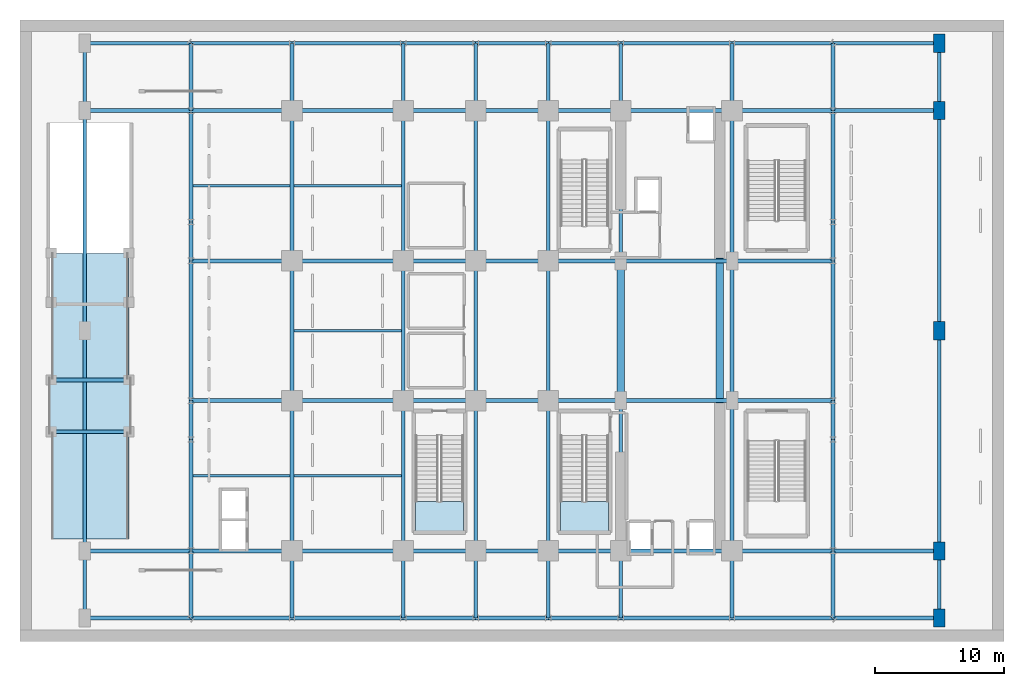
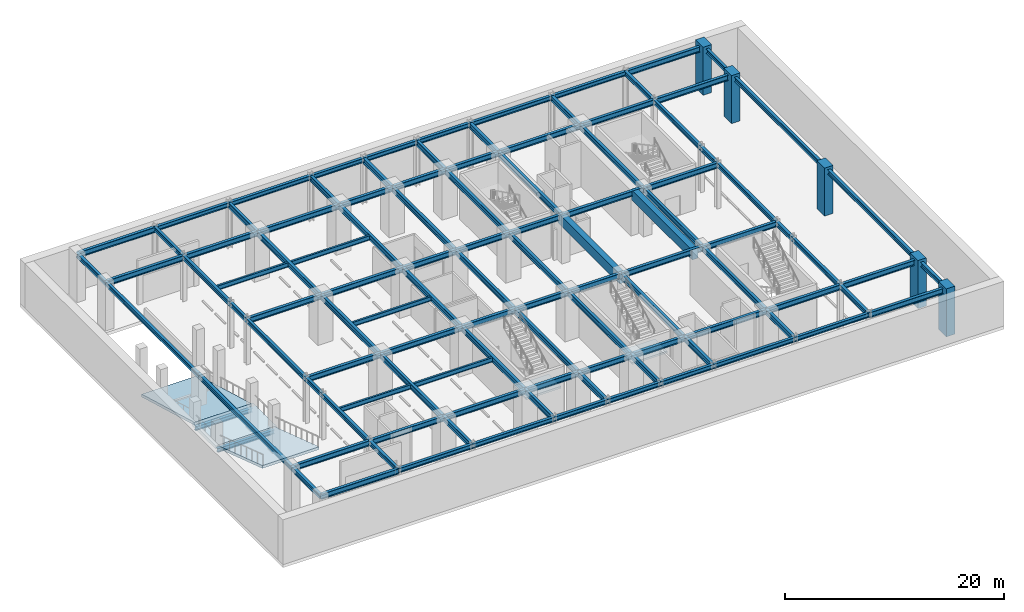
# One storey, part 3 of 10: 110 beams, 5 columns, 5 slabs, 2 elements without a shape of their own.
"""IFC4 building model written with IfcOpenShell, lengths in metres."""

from ifc_helpers import new_model, si_unit, direction, frame, origin, origin_2d, place, context, subcontext, project, spatial, polyline, rectangle, i_section, outline, extrude, source, transform, mapped, material, layer, layer_set, material_profile, profile_set, type_object, element, aggregate, save


model = new_model("IFC4")

# Units and contexts
model_context = context("Model", 3, precision=1e-05, world=origin(), true_north=direction((0.0, 1.0)))
body_context = subcontext(model_context, "Body", "Model", "MODEL_VIEW")
ifc_project = project(units=[si_unit("LENGTHUNIT", "METRE"), si_unit("AREAUNIT", "SQUARE_METRE"), si_unit("VOLUMEUNIT", "CUBIC_METRE"), si_unit("PLANEANGLEUNIT", "RADIAN"), si_unit("MASSUNIT", "GRAM", prefix="KILO")], contexts=[model_context])

# Site, building, storey
site_placement = place(None, origin())
site = spatial("IfcSite", under=ifc_project, at=site_placement, CompositionType="ELEMENT")
building_placement = place(site_placement, origin())
building = spatial("IfcBuilding", under=site, at=building_placement, Name="Nahalor Promenade Grand Hotel", CompositionType="ELEMENT")
storey_placement = place(building_placement, frame((0.0, 0.0, -5.39990234375)))
storey = spatial("IfcBuildingStorey", under=building, at=storey_placement, Name="B01", CompositionType="ELEMENT", Elevation=-5.39990234375)

# Columns
ifc_material_1 = material(Name="Concrete B-60 (C50/60)", Category="concrete")
ifc_material_profile_1 = material_profile(ifc_material_1, rectangle(XDim=0.9, YDim=1.4, at=origin_2d()), Name="RC 900x1400")
ifc_profile_set_1 = profile_set([ifc_material_profile_1], Name="Concrete B-60 (C50/60)")
column_type = type_object("IfcColumnType", Name="Col-Pilaster-1400", PredefinedType="PILASTER", material=ifc_profile_set_1)
shared_shape_1 = source(origin(), body_context, "Body", "SweptSolid", [
    extrude(rectangle(XDim=0.9, YDim=1.4, at=origin_2d()), origin(), (0.0, 0.0, 1.0), 5.35498046875),
])
for number, where, z_axis, x_axis, name in (
    (1, (33.0, -22.199951171875, 0.0), (0.0, 0.0, 1.0), (1.0, 0.0, 0.0), "COL-B01-PC-E0"),
    (2, (33.0, -17.0, 0.0), (0.0, 0.0, 1.0), (1.0, 0.0, 0.0), "COL-B01-PC-E1"),
    (3, (33.0, 0.0, 0.0), (0.0, 0.0, 1.0), (1.0, 0.0, 0.0), "COL-B01-PC-E2"),
    (4, (33.0, 17.0, 0.0), (0.0, 0.0, 1.0), (1.0, 0.0, 0.0), "COL-B01-PC-E3"),
    (5, (33.0, 22.199951171875, 0.0), (0.0, 0.0, 1.0), (1.0, 0.0, 0.0), "COL-B01-PC-E4"),
):
    element("IfcColumn", number, at=place(storey_placement, frame(where, z_axis=z_axis, x_axis=x_axis)), inside=storey, type_object=column_type, Name=name, PredefinedType="PILASTER", context=body_context, shape_type="MappedRepresentation", body=[
        mapped(shared_shape_1, transform((0.0, 0.0, 0.0), scale=1.0)),
    ])

# Beams
ifc_material_profile_2 = material_profile(ifc_material_1, rectangle(XDim=0.6, YDim=1.1, at=origin_2d()), Name="RC 600x1100")
ifc_profile_set_2 = profile_set([ifc_material_profile_2], Name="Concrete B-60 (C50/60)")
beam_type_1 = type_object("IfcBeamType", Name="Beam-Lintel-RC1100", PredefinedType="LINTEL", material=ifc_profile_set_2)
shared_shape_2 = source(origin(), body_context, "Body", "SweptSolid", [
    extrude(rectangle(XDim=0.6, YDim=1.1, at=origin_2d()), origin(), (0.0, 0.0, 1.0), 11.2001953125),
])
for number, where, z_axis, x_axis, name in (
    (6, (8.39990234375, -5.60009765625, 4.52978515625), (0.0, 1.0, 0.0), (-1.0, 0.0, 0.0), "BM-B01-LINT-W"),
    (7, (16.050048828125, -5.60009765625, 4.52978515625), (0.0, 1.0, 0.0), (-1.0, 0.0, 0.0), "BM-B01-LINT-E"),
):
    element("IfcBeam", number, at=place(storey_placement, frame(where, z_axis=z_axis, x_axis=x_axis)), inside=storey, type_object=beam_type_1, Name=name, PredefinedType="LINTEL", context=body_context, shape_type="MappedRepresentation", body=[
        mapped(shared_shape_2, transform((0.0, 0.0, 0.0), scale=1.0)),
    ])
ifc_material_2 = material(Name="Steel S355JR", Category="steel")
ifc_material_profile_3 = material_profile(ifc_material_2, i_section(OverallWidth=0.3, OverallDepth=0.6, WebThickness=0.0155, FlangeThickness=0.03, at=origin_2d()), Name="HEB 600")
ifc_profile_set_3 = profile_set([ifc_material_profile_3], Name="Steel S355JR")
beam_type_2 = type_object("IfcBeamType", Name="Beam-Girder-HEB600", PredefinedType="BEAM", material=ifc_profile_set_3)
shared_shape_3 = source(origin(), body_context, "Body", "SweptSolid", [
    extrude(i_section(OverallWidth=0.3, OverallDepth=0.6, WebThickness=0.0155, FlangeThickness=0.03, at=origin_2d()), origin(), (0.0, 0.0, 1.0), 8.199951171875),
])
for number, where, z_axis, x_axis, name in (
    (8, (-33.0, -17.0, 4.77978515625), (1.0, 0.0, 0.0), (0.0, 1.0, 0.0), "BM-B01-GX-0-0"),
    (9, (24.800048828125, -17.0, 4.77978515625), (1.0, 0.0, 0.0), (0.0, 1.0, 0.0), "BM-B01-GX-0-8"),
    (10, (-33.0, 17.0, 4.77978515625), (1.0, 0.0, 0.0), (0.0, 1.0, 0.0), "BM-B01-GX-3-0"),
    (11, (24.800048828125, 17.0, 4.77978515625), (1.0, 0.0, 0.0), (0.0, 1.0, 0.0), "BM-B01-GX-3-8"),
    (12, (-24.800048828125, -22.199951171875, 4.77978515625), (-1.0, 0.0, 0.0), (0.0, -1.0, 0.0), "BM-B01-TIE-PW--22"),
    (13, (-24.800048828125, 22.199951171875, 4.77978515625), (-1.0, 0.0, 0.0), (0.0, -1.0, 0.0), "BM-B01-TIE-PW-+22"),
    (14, (24.800048828125, -22.199951171875, 4.77978515625), (1.0, 0.0, 0.0), (0.0, 1.0, 0.0), "BM-B01-TIE-PE--22"),
    (15, (24.800048828125, 22.199951171875, 4.77978515625), (1.0, 0.0, 0.0), (0.0, 1.0, 0.0), "BM-B01-TIE-PE-+22"),
):
    element("IfcBeam", number, at=place(storey_placement, frame(where, z_axis=z_axis, x_axis=x_axis)), inside=storey, type_object=beam_type_2, Name=name, PredefinedType="BEAM", context=body_context, shape_type="MappedRepresentation", body=[
        mapped(shared_shape_3, transform((0.0, 0.0, 0.0), scale=1.0)),
    ])
shared_shape_4 = source(origin(), body_context, "Body", "SweptSolid", [
    extrude(i_section(OverallWidth=0.3, OverallDepth=0.6, WebThickness=0.0155, FlangeThickness=0.03, at=origin_2d()), origin(), (0.0, 0.0, 1.0), 7.800048828125),
])
for number, where, z_axis, x_axis, name in (
    (16, (-24.800048828125, -17.0, 4.77978515625), (1.0, 0.0, 0.0), (0.0, 1.0, 0.0), "BM-B01-GX-0-1"),
    (17, (17.0, -17.0, 4.77978515625), (1.0, 0.0, 0.0), (0.0, 1.0, 0.0), "BM-B01-GX-0-7"),
    (18, (-24.800048828125, -5.39990234375, 4.77978515625), (1.0, 0.0, 0.0), (0.0, 1.0, 0.0), "BM-B01-GX-1-0"),
    (19, (17.0, -5.39990234375, 4.77978515625), (1.0, 0.0, 0.0), (0.0, 1.0, 0.0), "BM-B01-GX-1-6"),
    (20, (-24.800048828125, 5.39990234375, 4.77978515625), (1.0, 0.0, 0.0), (0.0, 1.0, 0.0), "BM-B01-GX-2-0"),
    (21, (17.0, 5.39990234375, 4.77978515625), (1.0, 0.0, 0.0), (0.0, 1.0, 0.0), "BM-B01-GX-2-6"),
    (22, (-24.800048828125, 17.0, 4.77978515625), (1.0, 0.0, 0.0), (0.0, 1.0, 0.0), "BM-B01-GX-3-1"),
    (23, (17.0, 17.0, 4.77978515625), (1.0, 0.0, 0.0), (0.0, 1.0, 0.0), "BM-B01-GX-3-7"),
):
    element("IfcBeam", number, at=place(storey_placement, frame(where, z_axis=z_axis, x_axis=x_axis)), inside=storey, type_object=beam_type_2, Name=name, PredefinedType="BEAM", context=body_context, shape_type="MappedRepresentation", body=[
        mapped(shared_shape_4, transform((0.0, 0.0, 0.0), scale=1.0)),
    ])
shared_shape_5 = source(origin(), body_context, "Body", "SweptSolid", [
    extrude(i_section(OverallWidth=0.3, OverallDepth=0.6, WebThickness=0.0155, FlangeThickness=0.03, at=origin_2d()), origin(), (0.0, 0.0, 1.0), 8.60009765625),
])
for number, where, z_axis, x_axis, name in (
    (24, (-17.0, -17.0, 4.77978515625), (1.0, 0.0, 0.0), (0.0, 1.0, 0.0), "BM-B01-GX-0-2"),
    (25, (8.39990234375, -17.0, 4.77978515625), (1.0, 0.0, 0.0), (0.0, 1.0, 0.0), "BM-B01-GX-0-6"),
    (26, (-17.0, -5.39990234375, 4.77978515625), (1.0, 0.0, 0.0), (0.0, 1.0, 0.0), "BM-B01-GX-1-1"),
    (27, (8.39990234375, -5.39990234375, 4.77978515625), (1.0, 0.0, 0.0), (0.0, 1.0, 0.0), "BM-B01-GX-1-5"),
    (28, (-17.0, 5.39990234375, 4.77978515625), (1.0, 0.0, 0.0), (0.0, 1.0, 0.0), "BM-B01-GX-2-1"),
    (29, (8.39990234375, 5.39990234375, 4.77978515625), (1.0, 0.0, 0.0), (0.0, 1.0, 0.0), "BM-B01-GX-2-5"),
    (30, (-17.0, 17.0, 4.77978515625), (1.0, 0.0, 0.0), (0.0, 1.0, 0.0), "BM-B01-GX-3-2"),
    (31, (8.39990234375, 17.0, 4.77978515625), (1.0, 0.0, 0.0), (0.0, 1.0, 0.0), "BM-B01-GX-3-6"),
):
    element("IfcBeam", number, at=place(storey_placement, frame(where, z_axis=z_axis, x_axis=x_axis)), inside=storey, type_object=beam_type_2, Name=name, PredefinedType="BEAM", context=body_context, shape_type="MappedRepresentation", body=[
        mapped(shared_shape_5, transform((0.0, 0.0, 0.0), scale=1.0)),
    ])
shared_shape_6 = source(origin(), body_context, "Body", "SweptSolid", [
    extrude(i_section(OverallWidth=0.3, OverallDepth=0.6, WebThickness=0.0155, FlangeThickness=0.03, at=origin_2d()), origin(), (0.0, 0.0, 1.0), 5.599853515625),
])
for number, where, z_axis, x_axis, name in (
    (32, (-8.39990234375, -17.0, 4.77978515625), (1.0, 0.0, 0.0), (0.0, 1.0, 0.0), "BM-B01-GX-0-3"),
    (33, (2.800048828125, -17.0, 4.77978515625), (1.0, 0.0, 0.0), (0.0, 1.0, 0.0), "BM-B01-GX-0-5"),
    (34, (-8.39990234375, -5.39990234375, 4.77978515625), (1.0, 0.0, 0.0), (0.0, 1.0, 0.0), "BM-B01-GX-1-2"),
    (35, (2.800048828125, -5.39990234375, 4.77978515625), (1.0, 0.0, 0.0), (0.0, 1.0, 0.0), "BM-B01-GX-1-4"),
    (36, (-8.39990234375, 5.39990234375, 4.77978515625), (1.0, 0.0, 0.0), (0.0, 1.0, 0.0), "BM-B01-GX-2-2"),
    (37, (2.800048828125, 5.39990234375, 4.77978515625), (1.0, 0.0, 0.0), (0.0, 1.0, 0.0), "BM-B01-GX-2-4"),
    (38, (-8.39990234375, 17.0, 4.77978515625), (1.0, 0.0, 0.0), (0.0, 1.0, 0.0), "BM-B01-GX-3-3"),
    (39, (2.800048828125, 17.0, 4.77978515625), (1.0, 0.0, 0.0), (0.0, 1.0, 0.0), "BM-B01-GX-3-5"),
):
    element("IfcBeam", number, at=place(storey_placement, frame(where, z_axis=z_axis, x_axis=x_axis)), inside=storey, type_object=beam_type_2, Name=name, PredefinedType="BEAM", context=body_context, shape_type="MappedRepresentation", body=[
        mapped(shared_shape_6, transform((0.0, 0.0, 0.0), scale=1.0)),
    ])
shared_shape_7 = source(origin(), body_context, "Body", "SweptSolid", [
    extrude(i_section(OverallWidth=0.3, OverallDepth=0.6, WebThickness=0.0155, FlangeThickness=0.03, at=origin_2d()), origin(), (0.0, 0.0, 1.0), 5.60009765625),
])
for number, where, z_axis, x_axis, name in (
    (40, (-2.800048828125, -17.0, 4.77978515625), (1.0, 0.0, 0.0), (0.0, 1.0, 0.0), "BM-B01-GX-0-4"),
    (41, (-2.800048828125, -5.39990234375, 4.77978515625), (1.0, 0.0, 0.0), (0.0, 1.0, 0.0), "BM-B01-GX-1-3"),
    (42, (-2.800048828125, 5.39990234375, 4.77978515625), (1.0, 0.0, 0.0), (0.0, 1.0, 0.0), "BM-B01-GX-2-3"),
    (43, (-2.800048828125, 17.0, 4.77978515625), (1.0, 0.0, 0.0), (0.0, 1.0, 0.0), "BM-B01-GX-3-4"),
):
    element("IfcBeam", number, at=place(storey_placement, frame(where, z_axis=z_axis, x_axis=x_axis)), inside=storey, type_object=beam_type_2, Name=name, PredefinedType="BEAM", context=body_context, shape_type="MappedRepresentation", body=[
        mapped(shared_shape_7, transform((0.0, 0.0, 0.0), scale=1.0)),
    ])
shared_shape_8 = source(origin(), body_context, "Body", "SweptSolid", [
    extrude(i_section(OverallWidth=0.3, OverallDepth=0.6, WebThickness=0.0155, FlangeThickness=0.03, at=origin_2d()), origin(), (0.0, 0.0, 1.0), 5.199951171875),
])
for number, where, z_axis, x_axis, name in (
    (44, (-17.0, -22.199951171875, 4.77978515625), (0.0, 1.0, 0.0), (-1.0, 0.0, 0.0), "BM-B01-GY-0-0"),
    (45, (-17.0, 17.0, 4.77978515625), (0.0, 1.0, 0.0), (-1.0, 0.0, 0.0), "BM-B01-GY-0-4"),
    (46, (-8.39990234375, -22.199951171875, 4.77978515625), (0.0, 1.0, 0.0), (-1.0, 0.0, 0.0), "BM-B01-GY-1-0"),
    (47, (-8.39990234375, 17.0, 4.77978515625), (0.0, 1.0, 0.0), (-1.0, 0.0, 0.0), "BM-B01-GY-1-4"),
    (48, (-2.800048828125, -22.199951171875, 4.77978515625), (0.0, 1.0, 0.0), (-1.0, 0.0, 0.0), "BM-B01-GY-2-0"),
    (49, (-2.800048828125, 17.0, 4.77978515625), (0.0, 1.0, 0.0), (-1.0, 0.0, 0.0), "BM-B01-GY-2-4"),
    (50, (2.800048828125, -22.199951171875, 4.77978515625), (0.0, 1.0, 0.0), (-1.0, 0.0, 0.0), "BM-B01-GY-3-0"),
    (51, (2.800048828125, 17.0, 4.77978515625), (0.0, 1.0, 0.0), (-1.0, 0.0, 0.0), "BM-B01-GY-3-4"),
    (52, (8.39990234375, -22.199951171875, 4.77978515625), (0.0, 1.0, 0.0), (-1.0, 0.0, 0.0), "BM-B01-GY-4-0"),
    (53, (8.39990234375, 17.0, 4.77978515625), (0.0, 1.0, 0.0), (-1.0, 0.0, 0.0), "BM-B01-GY-4-4"),
    (54, (17.0, -22.199951171875, 4.77978515625), (0.0, 1.0, 0.0), (-1.0, 0.0, 0.0), "BM-B01-GY-5-0"),
    (55, (17.0, 17.0, 4.77978515625), (0.0, 1.0, 0.0), (-1.0, 0.0, 0.0), "BM-B01-GY-5-4"),
):
    element("IfcBeam", number, at=place(storey_placement, frame(where, z_axis=z_axis, x_axis=x_axis)), inside=storey, type_object=beam_type_2, Name=name, PredefinedType="BEAM", context=body_context, shape_type="MappedRepresentation", body=[
        mapped(shared_shape_8, transform((0.0, 0.0, 0.0), scale=1.0)),
    ])
shared_shape_9 = source(origin(), body_context, "Body", "SweptSolid", [
    extrude(i_section(OverallWidth=0.3, OverallDepth=0.6, WebThickness=0.0155, FlangeThickness=0.03, at=origin_2d()), origin(), (0.0, 0.0, 1.0), 11.60009765625),
])
for number, where, z_axis, x_axis, name in (
    (56, (-17.0, -17.0, 4.77978515625), (0.0, 1.0, 0.0), (-1.0, 0.0, 0.0), "BM-B01-GY-0-1"),
    (57, (-17.0, 5.39990234375, 4.77978515625), (0.0, 1.0, 0.0), (-1.0, 0.0, 0.0), "BM-B01-GY-0-3"),
    (58, (-8.39990234375, -17.0, 4.77978515625), (0.0, 1.0, 0.0), (-1.0, 0.0, 0.0), "BM-B01-GY-1-1"),
    (59, (-8.39990234375, 5.39990234375, 4.77978515625), (0.0, 1.0, 0.0), (-1.0, 0.0, 0.0), "BM-B01-GY-1-3"),
    (60, (-2.800048828125, -17.0, 4.77978515625), (0.0, 1.0, 0.0), (-1.0, 0.0, 0.0), "BM-B01-GY-2-1"),
    (61, (-2.800048828125, 5.39990234375, 4.77978515625), (0.0, 1.0, 0.0), (-1.0, 0.0, 0.0), "BM-B01-GY-2-3"),
    (62, (2.800048828125, -17.0, 4.77978515625), (0.0, 1.0, 0.0), (-1.0, 0.0, 0.0), "BM-B01-GY-3-1"),
    (63, (2.800048828125, 5.39990234375, 4.77978515625), (0.0, 1.0, 0.0), (-1.0, 0.0, 0.0), "BM-B01-GY-3-3"),
    (64, (8.39990234375, -17.0, 4.77978515625), (0.0, 1.0, 0.0), (-1.0, 0.0, 0.0), "BM-B01-GY-4-1"),
    (65, (8.39990234375, 5.39990234375, 4.77978515625), (0.0, 1.0, 0.0), (-1.0, 0.0, 0.0), "BM-B01-GY-4-3"),
    (66, (17.0, -17.0, 4.77978515625), (0.0, 1.0, 0.0), (-1.0, 0.0, 0.0), "BM-B01-GY-5-1"),
    (67, (17.0, 5.39990234375, 4.77978515625), (0.0, 1.0, 0.0), (-1.0, 0.0, 0.0), "BM-B01-GY-5-3"),
):
    element("IfcBeam", number, at=place(storey_placement, frame(where, z_axis=z_axis, x_axis=x_axis)), inside=storey, type_object=beam_type_2, Name=name, PredefinedType="BEAM", context=body_context, shape_type="MappedRepresentation", body=[
        mapped(shared_shape_9, transform((0.0, 0.0, 0.0), scale=1.0)),
    ])
shared_shape_10 = source(origin(), body_context, "Body", "SweptSolid", [
    extrude(i_section(OverallWidth=0.3, OverallDepth=0.6, WebThickness=0.0155, FlangeThickness=0.03, at=origin_2d()), origin(), (0.0, 0.0, 1.0), 10.7998046875),
])
for number, where, z_axis, x_axis, name in (
    (68, (-17.0, -5.39990234375, 4.77978515625), (0.0, 1.0, 0.0), (-1.0, 0.0, 0.0), "BM-B01-GY-0-2"),
    (69, (-8.39990234375, -5.39990234375, 4.77978515625), (0.0, 1.0, 0.0), (-1.0, 0.0, 0.0), "BM-B01-GY-1-2"),
    (70, (-2.800048828125, -5.39990234375, 4.77978515625), (0.0, 1.0, 0.0), (-1.0, 0.0, 0.0), "BM-B01-GY-2-2"),
    (71, (2.800048828125, -5.39990234375, 4.77978515625), (0.0, 1.0, 0.0), (-1.0, 0.0, 0.0), "BM-B01-GY-3-2"),
    (72, (17.0, -5.39990234375, 4.77978515625), (0.0, 1.0, 0.0), (-1.0, 0.0, 0.0), "BM-B01-GY-5-2"),
):
    element("IfcBeam", number, at=place(storey_placement, frame(where, z_axis=z_axis, x_axis=x_axis)), inside=storey, type_object=beam_type_2, Name=name, PredefinedType="BEAM", context=body_context, shape_type="MappedRepresentation", body=[
        mapped(shared_shape_10, transform((0.0, 0.0, 0.0), scale=1.0)),
    ])
ifc_material_profile_4 = material_profile(ifc_material_2, i_section(OverallWidth=0.3, OverallDepth=0.5, WebThickness=0.0145, FlangeThickness=0.028, at=origin_2d()), Name="HEB 500")
ifc_profile_set_4 = profile_set([ifc_material_profile_4], Name="Steel S355JR")
beam_type_3 = type_object("IfcBeamType", Name="Beam-Spandrel-HEB500", PredefinedType="SPANDREL", material=ifc_profile_set_4)
shared_shape_11 = source(origin(), body_context, "Body", "SweptSolid", [
    extrude(i_section(OverallWidth=0.3, OverallDepth=0.5, WebThickness=0.0145, FlangeThickness=0.028, at=origin_2d()), origin(), (0.0, 0.0, 1.0), 8.60009765625),
])
for number, where, z_axis, x_axis, name in (
    (73, (-17.0, -22.199951171875, 4.829833984375), (1.0, 0.0, 0.0), (0.0, 1.0, 0.0), "BM-B01-SP-S-0"),
    (74, (8.39990234375, -22.199951171875, 4.829833984375), (1.0, 0.0, 0.0), (0.0, 1.0, 0.0), "BM-B01-SP-S-4"),
    (75, (-17.0, 22.199951171875, 4.829833984375), (1.0, 0.0, 0.0), (0.0, 1.0, 0.0), "BM-B01-SP-N-0"),
    (76, (8.39990234375, 22.199951171875, 4.829833984375), (1.0, 0.0, 0.0), (0.0, 1.0, 0.0), "BM-B01-SP-N-4"),
    (77, (-24.800048828125, -17.0, 4.829833984375), (0.0, 1.0, 0.0), (-1.0, 0.0, 0.0), "BM-B01-SP-W-0"),
    (78, (-24.800048828125, 8.39990234375, 4.829833984375), (0.0, 1.0, 0.0), (-1.0, 0.0, 0.0), "BM-B01-SP-W-4"),
    (79, (24.800048828125, -17.0, 4.829833984375), (0.0, 1.0, 0.0), (-1.0, 0.0, 0.0), "BM-B01-SP-E-0"),
    (80, (24.800048828125, 8.39990234375, 4.829833984375), (0.0, 1.0, 0.0), (-1.0, 0.0, 0.0), "BM-B01-SP-E-4"),
):
    element("IfcBeam", number, at=place(storey_placement, frame(where, z_axis=z_axis, x_axis=x_axis)), inside=storey, type_object=beam_type_3, Name=name, PredefinedType="SPANDREL", context=body_context, shape_type="MappedRepresentation", body=[
        mapped(shared_shape_11, transform((0.0, 0.0, 0.0), scale=1.0)),
    ])
shared_shape_12 = source(origin(), body_context, "Body", "SweptSolid", [
    extrude(i_section(OverallWidth=0.3, OverallDepth=0.5, WebThickness=0.0145, FlangeThickness=0.028, at=origin_2d()), origin(), (0.0, 0.0, 1.0), 5.599853515625),
])
for number, where, z_axis, x_axis, name in (
    (81, (-8.39990234375, -22.199951171875, 4.829833984375), (1.0, 0.0, 0.0), (0.0, 1.0, 0.0), "BM-B01-SP-S-1"),
    (82, (2.800048828125, -22.199951171875, 4.829833984375), (1.0, 0.0, 0.0), (0.0, 1.0, 0.0), "BM-B01-SP-S-3"),
    (83, (-8.39990234375, 22.199951171875, 4.829833984375), (1.0, 0.0, 0.0), (0.0, 1.0, 0.0), "BM-B01-SP-N-1"),
    (84, (2.800048828125, 22.199951171875, 4.829833984375), (1.0, 0.0, 0.0), (0.0, 1.0, 0.0), "BM-B01-SP-N-3"),
):
    element("IfcBeam", number, at=place(storey_placement, frame(where, z_axis=z_axis, x_axis=x_axis)), inside=storey, type_object=beam_type_3, Name=name, PredefinedType="SPANDREL", context=body_context, shape_type="MappedRepresentation", body=[
        mapped(shared_shape_12, transform((0.0, 0.0, 0.0), scale=1.0)),
    ])
shared_shape_13 = source(origin(), body_context, "Body", "SweptSolid", [
    extrude(i_section(OverallWidth=0.3, OverallDepth=0.5, WebThickness=0.0145, FlangeThickness=0.028, at=origin_2d()), origin(), (0.0, 0.0, 1.0), 5.60009765625),
])
for number, where, z_axis, x_axis, name in (
    (85, (-2.800048828125, -22.199951171875, 4.829833984375), (1.0, 0.0, 0.0), (0.0, 1.0, 0.0), "BM-B01-SP-S-2"),
    (86, (-2.800048828125, 22.199951171875, 4.829833984375), (1.0, 0.0, 0.0), (0.0, 1.0, 0.0), "BM-B01-SP-N-2"),
):
    element("IfcBeam", number, at=place(storey_placement, frame(where, z_axis=z_axis, x_axis=x_axis)), inside=storey, type_object=beam_type_3, Name=name, PredefinedType="SPANDREL", context=body_context, shape_type="MappedRepresentation", body=[
        mapped(shared_shape_13, transform((0.0, 0.0, 0.0), scale=1.0)),
    ])
shared_shape_14 = source(origin(), body_context, "Body", "SweptSolid", [
    extrude(i_section(OverallWidth=0.3, OverallDepth=0.5, WebThickness=0.0145, FlangeThickness=0.028, at=origin_2d()), origin(), (0.0, 0.0, 1.0), 3.0),
])
for number, where, z_axis, x_axis, name in (
    (87, (-24.800048828125, -8.39990234375, 4.829833984375), (0.0, 1.0, 0.0), (-1.0, 0.0, 0.0), "BM-B01-SP-W-1"),
    (88, (-24.800048828125, 5.39990234375, 4.829833984375), (0.0, 1.0, 0.0), (-1.0, 0.0, 0.0), "BM-B01-SP-W-3"),
    (89, (24.800048828125, -8.39990234375, 4.829833984375), (0.0, 1.0, 0.0), (-1.0, 0.0, 0.0), "BM-B01-SP-E-1"),
    (90, (24.800048828125, 5.39990234375, 4.829833984375), (0.0, 1.0, 0.0), (-1.0, 0.0, 0.0), "BM-B01-SP-E-3"),
):
    element("IfcBeam", number, at=place(storey_placement, frame(where, z_axis=z_axis, x_axis=x_axis)), inside=storey, type_object=beam_type_3, Name=name, PredefinedType="SPANDREL", context=body_context, shape_type="MappedRepresentation", body=[
        mapped(shared_shape_14, transform((0.0, 0.0, 0.0), scale=1.0)),
    ])
shared_shape_15 = source(origin(), body_context, "Body", "SweptSolid", [
    extrude(i_section(OverallWidth=0.3, OverallDepth=0.5, WebThickness=0.0145, FlangeThickness=0.028, at=origin_2d()), origin(), (0.0, 0.0, 1.0), 10.7998046875),
])
for number, where, z_axis, x_axis, name in (
    (91, (-24.800048828125, -5.39990234375, 4.829833984375), (0.0, 1.0, 0.0), (-1.0, 0.0, 0.0), "BM-B01-SP-W-2"),
    (92, (24.800048828125, -5.39990234375, 4.829833984375), (0.0, 1.0, 0.0), (-1.0, 0.0, 0.0), "BM-B01-SP-E-2"),
):
    element("IfcBeam", number, at=place(storey_placement, frame(where, z_axis=z_axis, x_axis=x_axis)), inside=storey, type_object=beam_type_3, Name=name, PredefinedType="SPANDREL", context=body_context, shape_type="MappedRepresentation", body=[
        mapped(shared_shape_15, transform((0.0, 0.0, 0.0), scale=1.0)),
    ])
shared_shape_16 = source(origin(), body_context, "Body", "SweptSolid", [
    extrude(i_section(OverallWidth=0.3, OverallDepth=0.5, WebThickness=0.0145, FlangeThickness=0.028, at=origin_2d()), origin(), (0.0, 0.0, 1.0), 7.800048828125),
])
for number, where, z_axis, x_axis, name in (
    (93, (-17.0, -22.199951171875, 4.829833984375), (-1.0, 0.0, 0.0), (0.0, -1.0, 0.0), "BM-B01-SPC-SW-1"),
    (94, (-17.0, 22.199951171875, 4.829833984375), (-1.0, 0.0, 0.0), (0.0, -1.0, 0.0), "BM-B01-SPC-NW-1"),
    (95, (17.0, -22.199951171875, 4.829833984375), (1.0, 0.0, 0.0), (0.0, 1.0, 0.0), "BM-B01-SPC-SE-1"),
    (96, (17.0, 22.199951171875, 4.829833984375), (1.0, 0.0, 0.0), (0.0, 1.0, 0.0), "BM-B01-SPC-NE-1"),
):
    element("IfcBeam", number, at=place(storey_placement, frame(where, z_axis=z_axis, x_axis=x_axis)), inside=storey, type_object=beam_type_3, Name=name, PredefinedType="SPANDREL", context=body_context, shape_type="MappedRepresentation", body=[
        mapped(shared_shape_16, transform((0.0, 0.0, 0.0), scale=1.0)),
    ])
shared_shape_17 = source(origin(), body_context, "Body", "SweptSolid", [
    extrude(i_section(OverallWidth=0.3, OverallDepth=0.5, WebThickness=0.0145, FlangeThickness=0.028, at=origin_2d()), origin(), (0.0, 0.0, 1.0), 5.199951171875),
])
for number, where, z_axis, x_axis, name in (
    (97, (-24.800048828125, -22.199951171875, 4.829833984375), (0.0, 1.0, 0.0), (-1.0, 0.0, 0.0), "BM-B01-SPC-SW-2"),
    (98, (-24.800048828125, 22.199951171875, 4.829833984375), (0.0, -1.0, 0.0), (1.0, 0.0, 0.0), "BM-B01-SPC-NW-2"),
    (99, (24.800048828125, -22.199951171875, 4.829833984375), (0.0, 1.0, 0.0), (-1.0, 0.0, 0.0), "BM-B01-SPC-SE-2"),
    (100, (24.800048828125, 22.199951171875, 4.829833984375), (0.0, -1.0, 0.0), (1.0, 0.0, 0.0), "BM-B01-SPC-NE-2"),
    (101, (-33.0, -22.199951171875, 4.829833984375), (0.0, 1.0, 0.0), (-1.0, 0.0, 0.0), "BM-B01-PW-0"),
    (102, (-33.0, 17.0, 4.829833984375), (0.0, 1.0, 0.0), (-1.0, 0.0, 0.0), "BM-B01-PW-3"),
    (103, (33.0, -22.199951171875, 4.829833984375), (0.0, 1.0, 0.0), (-1.0, 0.0, 0.0), "BM-B01-PE-0"),
    (104, (33.0, 17.0, 4.829833984375), (0.0, 1.0, 0.0), (-1.0, 0.0, 0.0), "BM-B01-PE-3"),
):
    element("IfcBeam", number, at=place(storey_placement, frame(where, z_axis=z_axis, x_axis=x_axis)), inside=storey, type_object=beam_type_3, Name=name, PredefinedType="SPANDREL", context=body_context, shape_type="MappedRepresentation", body=[
        mapped(shared_shape_17, transform((0.0, 0.0, 0.0), scale=1.0)),
    ])
shared_shape_18 = source(origin(), body_context, "Body", "SweptSolid", [
    extrude(i_section(OverallWidth=0.3, OverallDepth=0.5, WebThickness=0.0145, FlangeThickness=0.028, at=origin_2d()), origin(), (0.0, 0.0, 1.0), 17.0),
])
for number, where, z_axis, x_axis, name in (
    (105, (-33.0, -17.0, 4.829833984375), (0.0, 1.0, 0.0), (-1.0, 0.0, 0.0), "BM-B01-PW-1"),
    (106, (-33.0, 0.0, 4.829833984375), (0.0, 1.0, 0.0), (-1.0, 0.0, 0.0), "BM-B01-PW-2"),
    (107, (33.0, -17.0, 4.829833984375), (0.0, 1.0, 0.0), (-1.0, 0.0, 0.0), "BM-B01-PE-1"),
    (108, (33.0, 0.0, 4.829833984375), (0.0, 1.0, 0.0), (-1.0, 0.0, 0.0), "BM-B01-PE-2"),
):
    element("IfcBeam", number, at=place(storey_placement, frame(where, z_axis=z_axis, x_axis=x_axis)), inside=storey, type_object=beam_type_3, Name=name, PredefinedType="SPANDREL", context=body_context, shape_type="MappedRepresentation", body=[
        mapped(shared_shape_18, transform((0.0, 0.0, 0.0), scale=1.0)),
    ])
ifc_material_profile_5 = material_profile(ifc_material_2, i_section(OverallWidth=0.2, OverallDepth=0.5, WebThickness=0.0102, FlangeThickness=0.016, at=origin_2d()), Name="IPE 500")
ifc_profile_set_5 = profile_set([ifc_material_profile_5], Name="Steel S355JR")
beam_type_4 = type_object("IfcBeamType", Name="Beam-Joist-IPE500", PredefinedType="JOIST", material=ifc_profile_set_5)
shared_shape_19 = source(origin(), body_context, "Body", "SweptSolid", [
    extrude(i_section(OverallWidth=0.2, OverallDepth=0.5, WebThickness=0.0102, FlangeThickness=0.016, at=origin_2d()), origin(), (0.0, 0.0, 1.0), 7.5),
])
for number, where, z_axis, x_axis, name in (
    (109, (-24.64990234375, -11.199951171875, 4.829833984375), (1.0, 0.0, 0.0), (0.0, 1.0, 0.0), "BM-B01-JSW-0-0"),
    (110, (-24.64990234375, 11.199951171875, 4.829833984375), (1.0, 0.0, 0.0), (0.0, 1.0, 0.0), "BM-B01-JSW-1-0"),
):
    element("IfcBeam", number, at=place(storey_placement, frame(where, z_axis=z_axis, x_axis=x_axis)), inside=storey, type_object=beam_type_4, Name=name, PredefinedType="JOIST", context=body_context, shape_type="MappedRepresentation", body=[
        mapped(shared_shape_19, transform((0.0, 0.0, 0.0), scale=1.0)),
    ])
shared_shape_20 = source(origin(), body_context, "Body", "SweptSolid", [
    extrude(i_section(OverallWidth=0.2, OverallDepth=0.5, WebThickness=0.0102, FlangeThickness=0.016, at=origin_2d()), origin(), (0.0, 0.0, 1.0), 8.300048828125),
])
for number, where, z_axis, x_axis, name in (
    (111, (-16.85009765625, -11.199951171875, 4.829833984375), (1.0, 0.0, 0.0), (0.0, 1.0, 0.0), "BM-B01-JSW-0-1"),
    (112, (-16.85009765625, 11.199951171875, 4.829833984375), (1.0, 0.0, 0.0), (0.0, 1.0, 0.0), "BM-B01-JSW-1-1"),
    (113, (-16.85009765625, 0.0, 4.829833984375), (1.0, 0.0, 0.0), (0.0, 1.0, 0.0), "BM-B01-JSC-0"),
):
    element("IfcBeam", number, at=place(storey_placement, frame(where, z_axis=z_axis, x_axis=x_axis)), inside=storey, type_object=beam_type_4, Name=name, PredefinedType="JOIST", context=body_context, shape_type="MappedRepresentation", body=[
        mapped(shared_shape_20, transform((0.0, 0.0, 0.0), scale=1.0)),
    ])
ifc_material_profile_6 = material_profile(ifc_material_2, i_section(OverallWidth=0.3, OverallDepth=0.45, WebThickness=0.014, FlangeThickness=0.026, at=origin_2d()), Name="HEB 450")
ifc_profile_set_6 = profile_set([ifc_material_profile_6], Name="Steel S355JR")
beam_type_5 = type_object("IfcBeamType", Name="Beam-Girder-HEB450", PredefinedType="BEAM", material=ifc_profile_set_6)
shared_shape_21 = source(origin(), body_context, "Body", "SweptSolid", [
    extrude(i_section(OverallWidth=0.3, OverallDepth=0.45, WebThickness=0.014, FlangeThickness=0.026, at=origin_2d()), origin(), (0.0, 0.0, 1.0), 6.0),
])
for number, where, z_axis, x_axis, name in (
    (114, (-35.60009765625, -7.800048828125, 2.125), (1.0, 0.0, 0.0), (0.0, 1.0, 0.0), "BM-RLD-B01-S"),
    (115, (-35.60009765625, -3.800048828125, 2.125), (1.0, 0.0, 0.0), (0.0, 1.0, 0.0), "BM-RLD-B01-N"),
):
    element("IfcBeam", number, at=place(storey_placement, frame(where, z_axis=z_axis, x_axis=x_axis)), inside=storey, type_object=beam_type_5, Name=name, PredefinedType="BEAM", context=body_context, shape_type="MappedRepresentation", body=[
        mapped(shared_shape_21, transform((0.0, 0.0, 0.0), scale=1.0)),
    ])

# Stair, slab
ifc_material_3 = material(Name="Concrete B-50 (C40/50)", Category="concrete")
stair_type_1 = type_object("IfcStairType", Name="Stair-ST2", PredefinedType="HALF_TURN_STAIR", material=ifc_material_3)
stair_1_placement = place(storey_placement, origin())
stair_1 = element("IfcStair", 116, at=stair_1_placement, inside=storey, type_object=stair_type_1, Name="B01 ST2", PredefinedType="HALF_TURN_STAIR")
ifc_layer_1 = layer(ifc_material_3, 0.2099609375)
ifc_layer_set_1 = layer_set([ifc_layer_1], Name="Concrete B-50 (C40/50)")
slab_type_1 = type_object("IfcSlabType", Name="Landing-ST2", PredefinedType="LANDING", material=ifc_layer_set_1)
slab_1_placement = place(storey_placement, frame((0.0, 0.0, 2.489990234375)))
slab_1 = element("IfcSlab", 117, at=slab_1_placement, type_object=slab_type_1, Name="ST2 landing 1", PredefinedType="LANDING", context=body_context, shape_type="SweptSolid", body=[
    extrude(outline(polyline([(3.75, -13.199951171875), (3.75, -15.449951171875), (7.449951171875, -15.449951171875), (7.449951171875, -13.199951171875), (3.75, -13.199951171875)])), origin(), (0.0, 0.0, 1.0), 0.2099609375),
])
aggregate(stair_1, [slab_1])

stair_type_2 = type_object("IfcStairType", Name="Stair-ST3", PredefinedType="HALF_TURN_STAIR", material=ifc_material_3)
stair_2_placement = place(storey_placement, origin())
stair_2 = element("IfcStair", 118, at=stair_2_placement, inside=storey, type_object=stair_type_2, Name="B01 ST3", PredefinedType="HALF_TURN_STAIR")
ifc_layer_2 = layer(ifc_material_3, 0.219970703125)
ifc_layer_set_2 = layer_set([ifc_layer_2], Name="Concrete B-50 (C40/50)")
slab_type_2 = type_object("IfcSlabType", Name="Landing-ST3", PredefinedType="LANDING", material=ifc_layer_set_2)
slab_2_placement = place(storey_placement, frame((0.0, 0.0, 2.47998046875)))
slab_2 = element("IfcSlab", 119, at=slab_2_placement, type_object=slab_type_2, Name="ST3 landing 1", PredefinedType="LANDING", context=body_context, shape_type="SweptSolid", body=[
    extrude(outline(polyline([(-7.449951171875, -13.199951171875), (-7.449951171875, -15.449951171875), (-3.75, -15.449951171875), (-3.75, -13.199951171875), (-7.449951171875, -13.199951171875)])), origin(), (0.0, 0.0, 1.0), 0.219970703125),
])
aggregate(stair_2, [slab_2])

# Slabs
ifc_layer_3 = layer(ifc_material_3, 0.35009765625)
ifc_layer_set_3 = layer_set([ifc_layer_3], Name="Concrete B-50 (C40/50)")
slab_type_3 = type_object("IfcSlabType", Name="Slab-Basement-350", PredefinedType="FLOOR", material=ifc_layer_set_3)
slab_3_placement = place(storey_placement, frame((0.0, 0.0, 2.349853515625)))
element("IfcSlab", 120, at=slab_3_placement, inside=storey, type_object=slab_type_3, Name="Vehicle Ramp B01 Half-Landing", PredefinedType="FLOOR", context=body_context, shape_type="SweptSolid", body=[
    extrude(outline(polyline([(-35.800048828125, -7.949951171875), (-29.39990234375, -7.949951171875), (-29.39990234375, -3.64990234375), (-35.800048828125, -3.64990234375), (-35.800048828125, -7.949951171875)])), origin(), (0.0, 0.0, 1.0), 0.35009765625),
])
ifc_layer_4 = layer(ifc_material_3, 0.300048828125)
ifc_layer_set_4 = layer_set([ifc_layer_4], Name="Concrete B-50 (C40/50)")
slab_type_4 = type_object("IfcSlabType", Name="Slab-VehRamp-300", PredefinedType="FLOOR", material=ifc_layer_set_4)
slab_4_placement = place(storey_placement, frame((-35.60009765625, 5.949951171875, 0.0), z_axis=(0.0, 0.269442851673, 0.963016380796), x_axis=(1.0, 0.0, 0.0)))
element("IfcSlab", 121, at=slab_4_placement, inside=storey, type_object=slab_type_4, Name="Basement Car Park Vehicle Ramp B01 Lower Slab", PredefinedType="FLOOR", context=body_context, shape_type="SweptSolid", body=[
    extrude(outline(polyline([(0.0, 0.0), (6.0, 0.0), (6.0, -10.020496573245305), (0.0, -10.020496573245305), (0.0, 0.0)])), origin(), (0.0, 0.269442851673, -0.963016380796), 0.3115234375),
])
slab_5_placement = place(storey_placement, frame((-35.60009765625, -7.89990234375, 2.699951171875), z_axis=(0.0, 0.313429081398, 0.949611610572), x_axis=(1.0, 0.0, 0.0)))
element("IfcSlab", 122, at=slab_5_placement, inside=storey, type_object=slab_type_4, Name="Basement Car Park Vehicle Ramp B01 Upper Slab", PredefinedType="FLOOR", context=body_context, shape_type="SweptSolid", body=[
    extrude(outline(polyline([(0.0, 0.0), (6.0, 0.0), (6.0, -8.614233114018813), (0.0, -8.614233114018813), (0.0, 0.0)])), origin(), (0.0, 0.313429081398, -0.949611610572), 0.31591796875),
])

save(model, "model.ifc")
